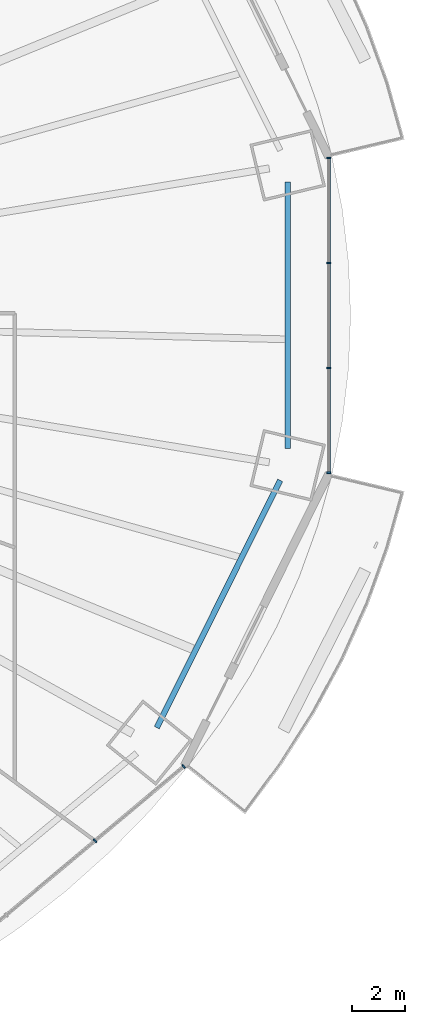
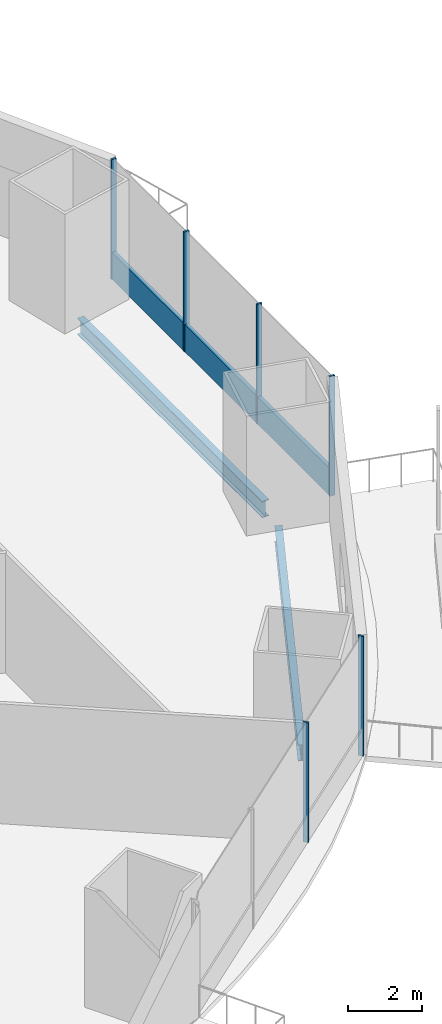
# One storey, part 11 of 23: 7 members, 2 beams, 2 elements without a shape of their own.
"""IFC4 building model written with IfcOpenShell, lengths in metres."""

from ifc_helpers import new_model, si_unit, direction, frame, origin, origin_2d, place, context, subcontext, project, spatial, rectangle, i_section, extrude, material, material_profile, profile_set, type_object, element, aggregate, save


model = new_model("IFC4")

# Units and contexts
model_context = context("Model", 3, precision=1e-05, world=origin(), true_north=direction((0.0, 1.0)))
body_context = subcontext(model_context, "Body", "Model", "MODEL_VIEW")
ifc_project = project(units=[si_unit("LENGTHUNIT", "METRE"), si_unit("AREAUNIT", "SQUARE_METRE"), si_unit("VOLUMEUNIT", "CUBIC_METRE"), si_unit("PLANEANGLEUNIT", "RADIAN"), si_unit("MASSUNIT", "GRAM", prefix="KILO")], contexts=[model_context])

# Site, building, storey
site_placement = place(None, origin())
site = spatial("IfcSite", under=ifc_project, at=site_placement, CompositionType="ELEMENT")
building_placement = place(site_placement, origin())
building = spatial("IfcBuilding", under=site, at=building_placement, Name="Marenthal Gate Tower", CompositionType="ELEMENT")
storey_placement = place(building_placement, frame((0.0, 0.0, 49.60009765625)))
storey = spatial("IfcBuildingStorey", under=building, at=storey_placement, Name="L08", CompositionType="ELEMENT", Elevation=49.60009765625)

# Curtain wall, members
ifc_material_1 = material(Name="Aluminium and glass", Category="aluminium")
curtain_wall_type = type_object("IfcCurtainWallType", Name="Curtain wall typical low", PredefinedType="NOTDEFINED", material=ifc_material_1)
curtain_wall_1_placement = place(storey_placement, origin())
curtain_wall_1 = element("IfcCurtainWall", 1, at=curtain_wall_1_placement, inside=storey, type_object=curtain_wall_type, Name="Curtain wall L08 bay 14", PredefinedType="NOTDEFINED")
ifc_material_2 = material(Name="Aluminium", Category="aluminium")
ifc_material_profile_1 = material_profile(ifc_material_2, rectangle(XDim=0.159912109375, YDim=0.06005859375, at=origin_2d()), Name="60x160 aluminium mullion")
ifc_profile_set_1 = profile_set([ifc_material_profile_1], Name="Aluminium")
member_type_1 = type_object("IfcMemberType", Name="Mullion 60x160 typical low", PredefinedType="MULLION", material=ifc_profile_set_1)
member_1_placement = place(storey_placement, frame((26.938232421875, -19.76611328125, 0.0), z_axis=(0.0, 0.0, 1.0), x_axis=(-0.642047277641, 0.766665046336, 0.0)))
member_1 = element("IfcMember", 2, at=member_1_placement, type_object=member_type_1, Name="Mullion L08 bay 14.3", PredefinedType="MULLION", context=body_context, shape_type="SweptSolid", body=[
    extrude(rectangle(XDim=0.159912109375, YDim=0.06005859375, at=origin_2d()), origin(), (0.0, 0.0, 1.0), 3.969970703125),
])
member_2_placement = place(storey_placement, frame((30.274169921875, -16.972412109375, 0.0), z_axis=(0.0, 0.0, 1.0), x_axis=(-0.642047277641, 0.766665046336, 0.0)))
member_2 = element("IfcMember", 3, at=member_2_placement, type_object=member_type_1, Name="Mullion L08 bay 14.4", PredefinedType="MULLION", context=body_context, shape_type="SweptSolid", body=[
    extrude(rectangle(XDim=0.159912109375, YDim=0.06005859375, at=origin_2d()), origin(), (0.0, 0.0, 1.0), 3.969970703125),
])
aggregate(curtain_wall_1, [member_1, member_2])

curtain_wall_2_placement = place(storey_placement, origin())
curtain_wall_2 = element("IfcCurtainWall", 4, at=curtain_wall_2_placement, inside=storey, type_object=curtain_wall_type, Name="Curtain wall L08 bay 16", PredefinedType="NOTDEFINED")
member_3_placement = place(storey_placement, frame((35.73779296875, -5.923095703125, 0.0), z_axis=(0.0, 0.0, 1.0), x_axis=(-1.0, 0.0, 0.0)))
member_3 = element("IfcMember", 5, at=member_3_placement, type_object=member_type_1, Name="Mullion L08 bay 16.1", PredefinedType="MULLION", context=body_context, shape_type="SweptSolid", body=[
    extrude(rectangle(XDim=0.159912109375, YDim=0.06005859375, at=origin_2d()), origin(), (0.0, 0.0, 1.0), 3.969970703125),
])
member_4_placement = place(storey_placement, frame((35.73779296875, -1.974365234375, 0.0), z_axis=(0.0, 0.0, 1.0), x_axis=(-1.0, 0.0, 0.0)))
member_4 = element("IfcMember", 6, at=member_4_placement, type_object=member_type_1, Name="Mullion L08 bay 16.2", PredefinedType="MULLION", context=body_context, shape_type="SweptSolid", body=[
    extrude(rectangle(XDim=0.159912109375, YDim=0.06005859375, at=origin_2d()), origin(), (0.0, 0.0, 1.0), 3.969970703125),
])
member_5_placement = place(storey_placement, frame((35.73779296875, 1.974365234375, 0.0), z_axis=(0.0, 0.0, 1.0), x_axis=(-1.0, 0.0, 0.0)))
member_5 = element("IfcMember", 7, at=member_5_placement, type_object=member_type_1, Name="Mullion L08 bay 16.3", PredefinedType="MULLION", context=body_context, shape_type="SweptSolid", body=[
    extrude(rectangle(XDim=0.159912109375, YDim=0.06005859375, at=origin_2d()), origin(), (0.0, 0.0, 1.0), 3.969970703125),
])
member_6_placement = place(storey_placement, frame((35.73779296875, 5.923095703125, 0.0), z_axis=(0.0, 0.0, 1.0), x_axis=(-1.0, 0.0, 0.0)))
member_6 = element("IfcMember", 8, at=member_6_placement, type_object=member_type_1, Name="Mullion L08 bay 16.4", PredefinedType="MULLION", context=body_context, shape_type="SweptSolid", body=[
    extrude(rectangle(XDim=0.159912109375, YDim=0.06005859375, at=origin_2d()), origin(), (0.0, 0.0, 1.0), 3.969970703125),
])
ifc_material_3 = material(Name="Aluminium", Category="aluminium")
ifc_material_profile_2 = material_profile(ifc_material_3, rectangle(XDim=0.1201171875, YDim=0.89990234375, at=origin_2d()), Name="120x900 aluminium transom")
ifc_profile_set_2 = profile_set([ifc_material_profile_2], Name="Aluminium")
member_type_2 = type_object("IfcMemberType", Name="Transom 120x900 typical low", PredefinedType="USERDEFINED", material=ifc_profile_set_2)
member_7_placement = place(storey_placement, frame((35.73779296875, -5.893310546875, 0.449951171875), z_axis=(0.0, 1.0, 0.0), x_axis=(-1.0, 0.0, 0.0)))
member_7 = element("IfcMember", 9, at=member_7_placement, type_object=member_type_2, Name="Transom L08 bay 16", ObjectType="TRANSOM", PredefinedType="USERDEFINED", context=body_context, shape_type="SweptSolid", body=[
    extrude(rectangle(XDim=0.1201171875, YDim=0.89990234375, at=origin_2d()), origin(), (0.0, 0.0, 1.0), 11.78662109375),
])
aggregate(curtain_wall_2, [member_3, member_4, member_5, member_6, member_7])

# Beams
ifc_material_4 = material(Name="Steel S355", Category="steel")
ifc_material_profile_3 = material_profile(ifc_material_4, i_section(OverallWidth=0.2119140625, OverallDepth=0.5439453125, WebThickness=0.01318359375, FlangeThickness=0.021240234375, FilletRadius=0.0126953125, at=origin_2d()), Name="W530X123")
ifc_profile_set_3 = profile_set([ifc_material_profile_3], Name="Steel S355")
beam_type = type_object("IfcBeamType", Name="W530X123 beam", PredefinedType="BEAM", material=ifc_profile_set_3)
beam_1_placement = place(storey_placement, frame((29.2626953125, -15.515380859375, -0.4521484375), z_axis=(0.446499954542, 0.894783655748, 0.0), x_axis=(-0.894783655748, 0.446499954542, 0.0)))
element("IfcBeam", 10, at=beam_1_placement, inside=storey, type_object=beam_type, Name="BM-L08-55", PredefinedType="BEAM", context=body_context, shape_type="SweptSolid", body=[
    extrude(i_section(OverallWidth=0.2119140625, OverallDepth=0.5439453125, WebThickness=0.01318359375, FlangeThickness=0.021240234375, FilletRadius=0.0126953125, at=origin_2d()), origin(), (0.0, 0.0, 1.0), 10.402099609375),
])
beam_2_placement = place(storey_placement, frame((34.188232421875, -5.013916015625, -0.4521484375), z_axis=(0.0, 1.0, 0.0), x_axis=(-1.0, 0.0, 0.0)))
element("IfcBeam", 11, at=beam_2_placement, inside=storey, type_object=beam_type, Name="BM-L08-56", PredefinedType="BEAM", context=body_context, shape_type="SweptSolid", body=[
    extrude(i_section(OverallWidth=0.2119140625, OverallDepth=0.5439453125, WebThickness=0.01318359375, FlangeThickness=0.021240234375, FilletRadius=0.0126953125, at=origin_2d()), origin(), (0.0, 0.0, 1.0), 10.02783203125),
])

save(model, "model.ifc")
